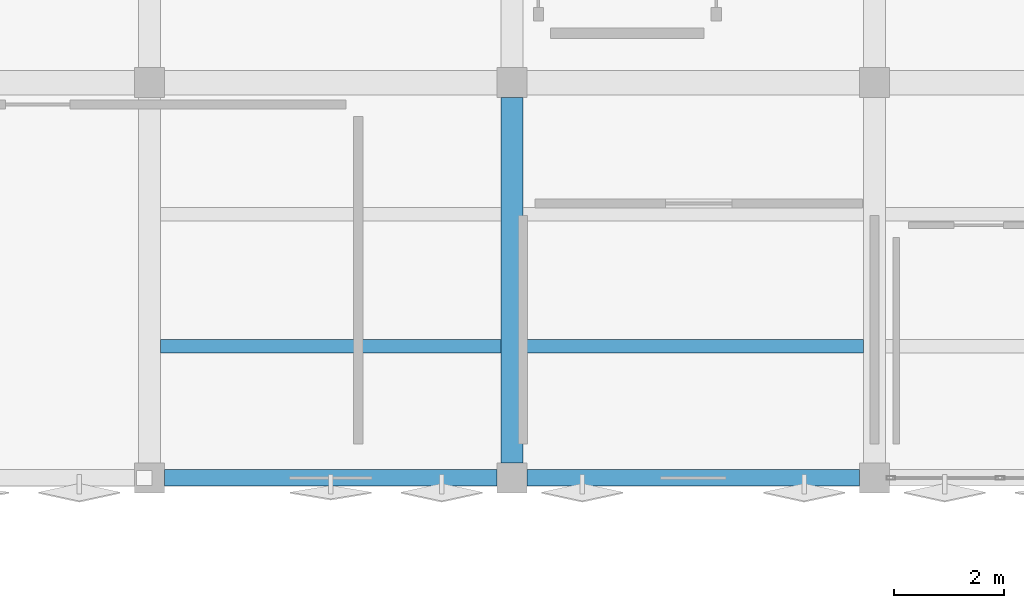
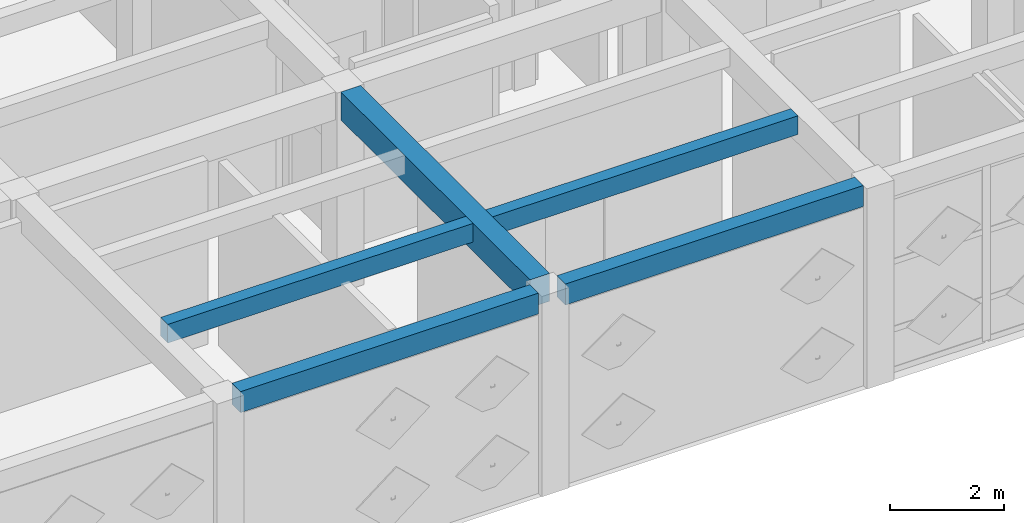
# One storey, part 11 of 36: 5 beams.
"""IFC4 building model written with IfcOpenShell, lengths in metres."""

from ifc_helpers import new_model, si_unit, direction, frame, origin, origin_2d, place, context, subcontext, project, spatial, rectangle, extrude, material, material_profile, profile_set, type_object, element, save


model = new_model("IFC4")

# Units and contexts
model_context = context("Model", 3, precision=1e-05, world=origin(), true_north=direction((0.0, 1.0)))
body_context = subcontext(model_context, "Body", "Model", "MODEL_VIEW")
ifc_project = project(units=[si_unit("LENGTHUNIT", "METRE"), si_unit("AREAUNIT", "SQUARE_METRE"), si_unit("VOLUMEUNIT", "CUBIC_METRE"), si_unit("PLANEANGLEUNIT", "RADIAN"), si_unit("MASSUNIT", "GRAM", prefix="KILO")], contexts=[model_context])

# Site, building, storey
site_placement = place(None, origin())
site = spatial("IfcSite", under=ifc_project, at=site_placement, CompositionType="ELEMENT")
building_placement = place(site_placement, origin())
building = spatial("IfcBuilding", under=site, at=building_placement, Name="Kharisveld Research Institute", CompositionType="ELEMENT")
storey_placement = place(building_placement, frame((0.0, 0.0, 27.60009765625)))
storey = spatial("IfcBuildingStorey", under=building, at=storey_placement, Name="L06", CompositionType="ELEMENT", Elevation=27.60009765625)

# Beams
ifc_material_1 = material(Name="Concrete C40/50", Category="concrete")
ifc_material_profile_1 = material_profile(ifc_material_1, rectangle(XDim=0.39990234375, YDim=0.60009765625, at=origin_2d()))
ifc_profile_set_1 = profile_set([ifc_material_profile_1], Name="Concrete C40/50")
beam_type_1 = type_object("IfcBeamType", Name="BM_RC_400x600", PredefinedType="BEAM", material=ifc_profile_set_1)
beam_placement = place(storey_placement, frame((134.39990234375, 39.47509765625, 4.0), z_axis=(0.0, 1.0, 0.0), x_axis=(-1.0, 0.0, 0.0)))
element("IfcBeam", 1, at=beam_placement, inside=storey, type_object=beam_type_1, Name="BM:V2:L06:V3_0", PredefinedType="BEAM", context=body_context, shape_type="SweptSolid", body=[
    extrude(rectangle(XDim=0.39990234375, YDim=0.60009765625, at=origin_2d()), origin(), (0.0, 0.0, 1.0), 6.64990234375),
])
ifc_material_2 = material(Name="Concrete C40/50", Category="concrete")
ifc_material_profile_2 = material_profile(ifc_material_2, rectangle(XDim=0.300048828125, YDim=0.449951171875, at=origin_2d()))
ifc_profile_set_2 = profile_set([ifc_material_profile_2], Name="Concrete C40/50")
beam_type_2 = type_object("IfcBeamType", Name="SP_RC_300x450", PredefinedType="SPANDREL", material=ifc_profile_set_2)
for number, where, z_axis, x_axis, name in (
    (2, (128.074951171875, 39.199951171875, 4.074951171875), (1.0, 0.0, 0.0), (0.0, 1.0, 0.0), "BM:V2:L06:U2_0"),
    (3, (134.675048828125, 39.199951171875, 4.074951171875), (1.0, 0.0, 0.0), (0.0, 1.0, 0.0), "BM:V2:L06:U3_0"),
):
    element("IfcBeam", number, at=place(storey_placement, frame(where, z_axis=z_axis, x_axis=x_axis)), inside=storey, type_object=beam_type_2, Name=name, PredefinedType="SPANDREL", context=body_context, shape_type="SweptSolid", body=[
        extrude(rectangle(XDim=0.300048828125, YDim=0.449951171875, at=origin_2d()), origin(), (0.0, 0.0, 1.0), 6.050048828125),
    ])
ifc_material_3 = material(Name="Concrete C40/50", Category="concrete")
ifc_material_profile_3 = material_profile(ifc_material_3, rectangle(XDim=0.25, YDim=0.39990234375, at=origin_2d()))
ifc_profile_set_3 = profile_set([ifc_material_profile_3], Name="Concrete C40/50")
beam_type_3 = type_object("IfcBeamType", Name="WB_RC_250x400", PredefinedType="JOIST", material=ifc_profile_set_3)
for number, where, z_axis, x_axis, name in (
    (4, (128.0, 41.60009765625, 4.099853515625), (1.0, 0.0, 0.0), (0.0, 1.0, 0.0), "BM:V2:L06:J_2_0_R1"),
    (5, (134.60009765625, 41.60009765625, 4.099853515625), (1.0, 0.0, 0.0), (0.0, 1.0, 0.0), "BM:V2:L06:J_3_0_R1"),
):
    element("IfcBeam", number, at=place(storey_placement, frame(where, z_axis=z_axis, x_axis=x_axis)), inside=storey, type_object=beam_type_3, Name=name, PredefinedType="JOIST", context=body_context, shape_type="SweptSolid", body=[
        extrude(rectangle(XDim=0.25, YDim=0.39990234375, at=origin_2d()), origin(), (0.0, 0.0, 1.0), 6.199951171875),
    ])

save(model, "model.ifc")
